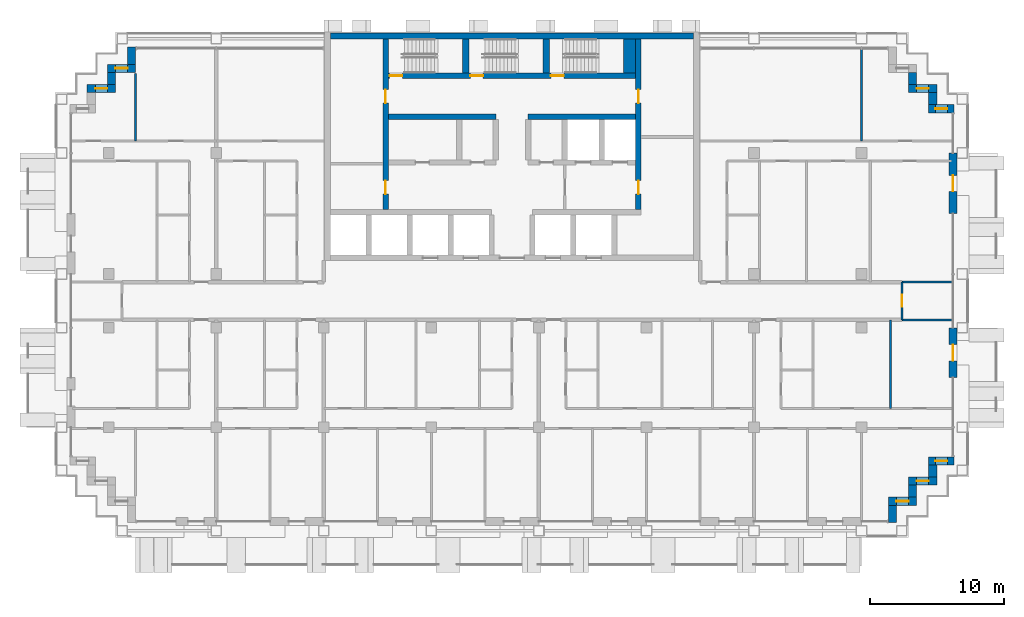
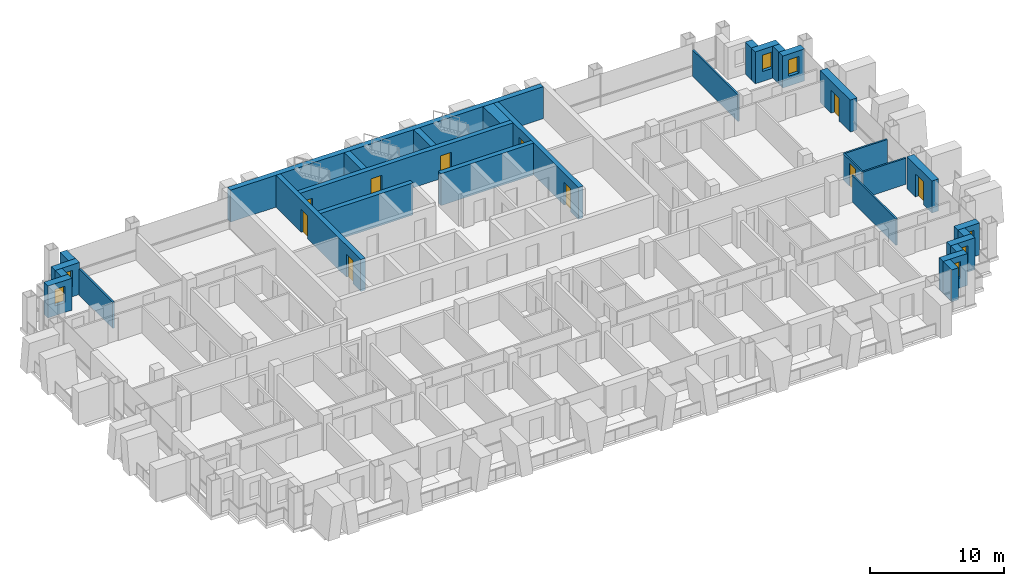
# One storey, part 12 of 17: 31 walls, 10 doors, 7 windows, 17 openings.
"""IFC4 building model written with IfcOpenShell, lengths in metres."""

from ifc_helpers import new_model, si_unit, direction, frame, frame_2d, origin, place, context, subcontext, project, spatial, rectangle, extrude, material, layer, layer_set, type_object, element, fill, save


model = new_model("IFC4")

# Units and contexts
model_context = context("Model", 3, precision=1e-05, world=origin(), true_north=direction((0.0, 1.0)))
body_context = subcontext(model_context, "Body", "Model", "MODEL_VIEW")
ifc_project = project(units=[si_unit("LENGTHUNIT", "METRE"), si_unit("AREAUNIT", "SQUARE_METRE"), si_unit("VOLUMEUNIT", "CUBIC_METRE"), si_unit("PLANEANGLEUNIT", "RADIAN"), si_unit("MASSUNIT", "GRAM", prefix="KILO")], contexts=[model_context])

# Site, building, storey
site_placement = place(None, origin())
site = spatial("IfcSite", under=ifc_project, at=site_placement, CompositionType="ELEMENT")
building_placement = place(site_placement, origin())
building = spatial("IfcBuilding", under=site, at=building_placement, Name="Vidyagriha Tower", CompositionType="ELEMENT")
storey_placement = place(building_placement, frame((0.0, 0.0, 119.800048828125)))
storey = spatial("IfcBuildingStorey", under=building, at=storey_placement, Name="L30", CompositionType="ELEMENT", Elevation=119.800048828125)

# Wall, opening, window
ifc_material_1 = material(Name="Precast concrete C40/50 with brick facing", Category="concrete")
ifc_layer_1 = layer(ifc_material_1, 0.60009765625)
ifc_layer_set_1 = layer_set([ifc_layer_1], Name="Precast concrete C40/50 with brick facing")
wall_type_1 = type_object("IfcWallType", Name="Brick-faced precast wall 600", PredefinedType="STANDARD", material=ifc_layer_set_1)
wall_1_placement = place(storey_placement, frame((32.8798828125, 14.300048828125, 0.0), z_axis=(0.0, 0.0, 1.0), x_axis=(-1.0, 0.0, 0.0)))
wall_1 = element("IfcWall", 1, at=wall_1_placement, inside=storey, type_object=wall_type_1, Name="Stepped corner wall L30 R01", PredefinedType="STANDARD", context=body_context, shape_type="SweptSolid", body=[
    extrude(rectangle(XDim=1.8798828125, YDim=0.60009765625, at=frame_2d((0.93994140625, 0.0))), origin(), (0.0, 0.0, 1.0), 2.919921875),
])
opening_1_placement = place(wall_1_placement, frame((0.489990234375, 0.0, 0.89990234375)))
opening_1 = element("IfcOpeningElement", 2, at=opening_1_placement, cuts=wall_1, Name="Opening WN1", PredefinedType="OPENING", context=body_context, shape_type="SweptSolid", body=[
    extrude(rectangle(XDim=0.89990234375, YDim=1.5, at=frame_2d((0.449951171875, 0.75))), frame((0.0, 0.31005859375, 0.0), z_axis=(0.0, -1.0, 0.0), x_axis=(1.0, 0.0, 0.0)), (0.0, 0.0, 1.0), 0.6201171875),
])
ifc_material_2 = material(Name="Aluminium and glass window", Category="aluminium")
window_type = type_object("IfcWindowType", Name="Reveal window 900x1500", PartitioningType="NOTDEFINED", PredefinedType="WINDOW", material=ifc_material_2)
window_1_placement = place(opening_1_placement, origin())
window_1 = element("IfcWindow", 3, at=window_1_placement, inside=storey, type_object=window_type, Name="Reveal window L30 R01", OverallHeight=1.5, OverallWidth=0.89990234375, PartitioningType="SINGLE_PANEL", PredefinedType="WINDOW", context=body_context, shape_type="SweptSolid", body=[
    extrude(rectangle(XDim=0.89990234375, YDim=1.5, at=frame_2d((0.449951171875, 0.75))), frame((0.0, 0.030029296875, 0.0), z_axis=(0.0, -1.0, 0.0), x_axis=(1.0, 0.0, 0.0)), (0.0, 0.0, 1.0), 0.06005859375),
])
fill(opening_1, window_1)

# Wall
wall_2_placement = place(storey_placement, frame((31.300048828125, 14.60009765625, 0.0), z_axis=(0.0, 0.0, 1.0), x_axis=(0.0, 1.0, 0.0)))
element("IfcWall", 4, at=wall_2_placement, inside=storey, type_object=wall_type_1, Name="Stepped corner wall L30 R02", PredefinedType="STANDARD", context=body_context, shape_type="SweptSolid", body=[
    extrude(rectangle(XDim=0.89990234375, YDim=0.60009765625, at=frame_2d((0.449951171875, 0.0))), origin(), (0.0, 0.0, 1.0), 2.919921875),
])

# Wall, opening, window
wall_3_placement = place(storey_placement, frame((31.60009765625, 15.800048828125, 0.0), z_axis=(0.0, 0.0, 1.0), x_axis=(-1.0, 0.0, 0.0)))
wall_3 = element("IfcWall", 5, at=wall_3_placement, inside=storey, type_object=wall_type_1, Name="Stepped corner wall L30 R03", PredefinedType="STANDARD", context=body_context, shape_type="SweptSolid", body=[
    extrude(rectangle(XDim=2.10009765625, YDim=0.60009765625, at=frame_2d((1.050048828125, 0.0))), origin(), (0.0, 0.0, 1.0), 2.919921875),
])
opening_2_placement = place(wall_3_placement, frame((0.60009765625, 0.0, 0.89990234375)))
opening_2 = element("IfcOpeningElement", 6, at=opening_2_placement, cuts=wall_3, Name="Opening WN1", PredefinedType="OPENING", context=body_context, shape_type="SweptSolid", body=[
    extrude(rectangle(XDim=0.89990234375, YDim=1.5, at=frame_2d((0.449951171875, 0.75))), frame((0.0, 0.31005859375, 0.0), z_axis=(0.0, -1.0, 0.0), x_axis=(1.0, 0.0, 0.0)), (0.0, 0.0, 1.0), 0.6201171875),
])
window_2_placement = place(opening_2_placement, origin())
window_2 = element("IfcWindow", 7, at=window_2_placement, inside=storey, type_object=window_type, Name="Reveal window L30 R03", OverallHeight=1.5, OverallWidth=0.89990234375, PartitioningType="SINGLE_PANEL", PredefinedType="WINDOW", context=body_context, shape_type="SweptSolid", body=[
    extrude(rectangle(XDim=0.89990234375, YDim=1.5, at=frame_2d((0.449951171875, 0.75))), frame((0.0, 0.030029296875, 0.0), z_axis=(0.0, -1.0, 0.0), x_axis=(1.0, 0.0, 0.0)), (0.0, 0.0, 1.0), 0.06005859375),
])
fill(opening_2, window_2)

# Walls
wall_4_placement = place(storey_placement, frame((29.800048828125, 16.10009765625, 0.0), z_axis=(0.0, 0.0, 1.0), x_axis=(0.0, 1.0, 0.0)))
element("IfcWall", 8, at=wall_4_placement, inside=storey, type_object=wall_type_1, Name="Stepped corner wall L30 R04", PredefinedType="STANDARD", context=body_context, shape_type="SweptSolid", body=[
    extrude(rectangle(XDim=0.89990234375, YDim=0.60009765625, at=frame_2d((0.449951171875, 0.0))), origin(), (0.0, 0.0, 1.0), 2.919921875),
])
wall_5_placement = place(storey_placement, frame((-28.300048828125, 18.8798828125, 0.0), z_axis=(0.0, 0.0, 1.0), x_axis=(0.0, -1.0, 0.0)))
element("IfcWall", 9, at=wall_5_placement, inside=storey, type_object=wall_type_1, Name="Stepped corner wall L30 R10", PredefinedType="STANDARD", context=body_context, shape_type="SweptSolid", body=[
    extrude(rectangle(XDim=1.27978515625, YDim=0.60009765625, at=frame_2d((0.639892578125, 0.0))), origin(), (0.0, 0.0, 1.0), 2.919921875),
])

# Wall, opening, window
wall_6_placement = place(storey_placement, frame((-28.0, 17.300048828125, 0.0), z_axis=(0.0, 0.0, 1.0), x_axis=(-1.0, 0.0, 0.0)))
wall_6 = element("IfcWall", 10, at=wall_6_placement, inside=storey, type_object=wall_type_1, Name="Stepped corner wall L30 R11", PredefinedType="STANDARD", context=body_context, shape_type="SweptSolid", body=[
    extrude(rectangle(XDim=2.10009765625, YDim=0.60009765625, at=frame_2d((1.050048828125, 0.0))), origin(), (0.0, 0.0, 1.0), 2.919921875),
])
opening_3_placement = place(wall_6_placement, frame((0.60009765625, 0.0, 0.89990234375)))
opening_3 = element("IfcOpeningElement", 11, at=opening_3_placement, cuts=wall_6, Name="Opening WN1", PredefinedType="OPENING", context=body_context, shape_type="SweptSolid", body=[
    extrude(rectangle(XDim=0.89990234375, YDim=1.5, at=frame_2d((0.449951171875, 0.75))), frame((0.0, 0.31005859375, 0.0), z_axis=(0.0, -1.0, 0.0), x_axis=(1.0, 0.0, 0.0)), (0.0, 0.0, 1.0), 0.6201171875),
])
window_3_placement = place(opening_3_placement, origin())
window_3 = element("IfcWindow", 12, at=window_3_placement, inside=storey, type_object=window_type, Name="Reveal window L30 R11", OverallHeight=1.5, OverallWidth=0.89990234375, PartitioningType="SINGLE_PANEL", PredefinedType="WINDOW", context=body_context, shape_type="SweptSolid", body=[
    extrude(rectangle(XDim=0.89990234375, YDim=1.5, at=frame_2d((0.449951171875, 0.75))), frame((0.0, 0.030029296875, 0.0), z_axis=(0.0, -1.0, 0.0), x_axis=(1.0, 0.0, 0.0)), (0.0, 0.0, 1.0), 0.06005859375),
])
fill(opening_3, window_3)

# Wall
wall_7_placement = place(storey_placement, frame((-29.800048828125, 17.0, 0.0), z_axis=(0.0, 0.0, 1.0), x_axis=(0.0, -1.0, 0.0)))
element("IfcWall", 13, at=wall_7_placement, inside=storey, type_object=wall_type_1, Name="Stepped corner wall L30 R12", PredefinedType="STANDARD", context=body_context, shape_type="SweptSolid", body=[
    extrude(rectangle(XDim=0.89990234375, YDim=0.60009765625, at=frame_2d((0.449951171875, 0.0))), origin(), (0.0, 0.0, 1.0), 2.919921875),
])

# Wall, opening, window
wall_8_placement = place(storey_placement, frame((-29.5, 15.800048828125, 0.0), z_axis=(0.0, 0.0, 1.0), x_axis=(-1.0, 0.0, 0.0)))
wall_8 = element("IfcWall", 14, at=wall_8_placement, inside=storey, type_object=wall_type_1, Name="Stepped corner wall L30 R13", PredefinedType="STANDARD", context=body_context, shape_type="SweptSolid", body=[
    extrude(rectangle(XDim=2.10009765625, YDim=0.60009765625, at=frame_2d((1.050048828125, 0.0))), origin(), (0.0, 0.0, 1.0), 2.919921875),
])
opening_4_placement = place(wall_8_placement, frame((0.60009765625, 0.0, 0.89990234375)))
opening_4 = element("IfcOpeningElement", 15, at=opening_4_placement, cuts=wall_8, Name="Opening WN1", PredefinedType="OPENING", context=body_context, shape_type="SweptSolid", body=[
    extrude(rectangle(XDim=0.89990234375, YDim=1.5, at=frame_2d((0.449951171875, 0.75))), frame((0.0, 0.31005859375, 0.0), z_axis=(0.0, -1.0, 0.0), x_axis=(1.0, 0.0, 0.0)), (0.0, 0.0, 1.0), 0.6201171875),
])
window_4_placement = place(opening_4_placement, origin())
window_4 = element("IfcWindow", 16, at=window_4_placement, inside=storey, type_object=window_type, Name="Reveal window L30 R13", OverallHeight=1.5, OverallWidth=0.89990234375, PartitioningType="SINGLE_PANEL", PredefinedType="WINDOW", context=body_context, shape_type="SweptSolid", body=[
    extrude(rectangle(XDim=0.89990234375, YDim=1.5, at=frame_2d((0.449951171875, 0.75))), frame((0.0, 0.030029296875, 0.0), z_axis=(0.0, -1.0, 0.0), x_axis=(1.0, 0.0, 0.0)), (0.0, 0.0, 1.0), 0.06005859375),
])
fill(opening_4, window_4)

# Wall
wall_9_placement = place(storey_placement, frame((28.300048828125, -16.47998046875, 0.0), z_axis=(0.0, 0.0, 1.0), x_axis=(0.0, 1.0, 0.0)))
element("IfcWall", 17, at=wall_9_placement, inside=storey, type_object=wall_type_1, Name="Stepped corner wall L30 R24", PredefinedType="STANDARD", context=body_context, shape_type="SweptSolid", body=[
    extrude(rectangle(XDim=1.280029296875, YDim=0.60009765625, at=frame_2d((0.64013671875, 0.0))), origin(), (0.0, 0.0, 1.0), 2.919921875),
])

# Wall, opening, window
wall_10_placement = place(storey_placement, frame((28.0, -14.89990234375, 0.0)))
wall_10 = element("IfcWall", 18, at=wall_10_placement, inside=storey, type_object=wall_type_1, Name="Stepped corner wall L30 R25", PredefinedType="STANDARD", context=body_context, shape_type="SweptSolid", body=[
    extrude(rectangle(XDim=2.10009765625, YDim=0.60009765625, at=frame_2d((1.050048828125, 0.0))), origin(), (0.0, 0.0, 1.0), 2.919921875),
])
opening_5_placement = place(wall_10_placement, frame((0.60009765625, 0.0, 0.89990234375)))
opening_5 = element("IfcOpeningElement", 19, at=opening_5_placement, cuts=wall_10, Name="Opening WN1", PredefinedType="OPENING", context=body_context, shape_type="SweptSolid", body=[
    extrude(rectangle(XDim=0.89990234375, YDim=1.5, at=frame_2d((0.449951171875, 0.75))), frame((0.0, 0.31005859375, 0.0), z_axis=(0.0, -1.0, 0.0), x_axis=(1.0, 0.0, 0.0)), (0.0, 0.0, 1.0), 0.6201171875),
])
window_5_placement = place(opening_5_placement, origin())
window_5 = element("IfcWindow", 20, at=window_5_placement, inside=storey, type_object=window_type, Name="Reveal window L30 R25", OverallHeight=1.5, OverallWidth=0.89990234375, PartitioningType="SINGLE_PANEL", PredefinedType="WINDOW", context=body_context, shape_type="SweptSolid", body=[
    extrude(rectangle(XDim=0.89990234375, YDim=1.5, at=frame_2d((0.449951171875, 0.75))), frame((0.0, 0.030029296875, 0.0), z_axis=(0.0, -1.0, 0.0), x_axis=(1.0, 0.0, 0.0)), (0.0, 0.0, 1.0), 0.06005859375),
])
fill(opening_5, window_5)

# Wall
wall_11_placement = place(storey_placement, frame((29.800048828125, -14.60009765625, 0.0), z_axis=(0.0, 0.0, 1.0), x_axis=(0.0, 1.0, 0.0)))
element("IfcWall", 21, at=wall_11_placement, inside=storey, type_object=wall_type_1, Name="Stepped corner wall L30 R26", PredefinedType="STANDARD", context=body_context, shape_type="SweptSolid", body=[
    extrude(rectangle(XDim=0.900146484375, YDim=0.60009765625, at=frame_2d((0.4501953125, 0.0))), origin(), (0.0, 0.0, 1.0), 2.919921875),
])

# Wall, opening, window
wall_12_placement = place(storey_placement, frame((29.5, -13.39990234375, 0.0)))
wall_12 = element("IfcWall", 22, at=wall_12_placement, inside=storey, type_object=wall_type_1, Name="Stepped corner wall L30 R27", PredefinedType="STANDARD", context=body_context, shape_type="SweptSolid", body=[
    extrude(rectangle(XDim=2.10009765625, YDim=0.60009765625, at=frame_2d((1.050048828125, 0.0))), origin(), (0.0, 0.0, 1.0), 2.919921875),
])
opening_6_placement = place(wall_12_placement, frame((0.60009765625, 0.0, 0.89990234375)))
opening_6 = element("IfcOpeningElement", 23, at=opening_6_placement, cuts=wall_12, Name="Opening WN1", PredefinedType="OPENING", context=body_context, shape_type="SweptSolid", body=[
    extrude(rectangle(XDim=0.89990234375, YDim=1.5, at=frame_2d((0.449951171875, 0.75))), frame((0.0, 0.31005859375, 0.0), z_axis=(0.0, -1.0, 0.0), x_axis=(1.0, 0.0, 0.0)), (0.0, 0.0, 1.0), 0.6201171875),
])
window_6_placement = place(opening_6_placement, origin())
window_6 = element("IfcWindow", 24, at=window_6_placement, inside=storey, type_object=window_type, Name="Reveal window L30 R27", OverallHeight=1.5, OverallWidth=0.89990234375, PartitioningType="SINGLE_PANEL", PredefinedType="WINDOW", context=body_context, shape_type="SweptSolid", body=[
    extrude(rectangle(XDim=0.89990234375, YDim=1.5, at=frame_2d((0.449951171875, 0.75))), frame((0.0, 0.030029296875, 0.0), z_axis=(0.0, -1.0, 0.0), x_axis=(1.0, 0.0, 0.0)), (0.0, 0.0, 1.0), 0.06005859375),
])
fill(opening_6, window_6)

# Wall
wall_13_placement = place(storey_placement, frame((31.300048828125, -13.10009765625, 0.0), z_axis=(0.0, 0.0, 1.0), x_axis=(0.0, 1.0, 0.0)))
element("IfcWall", 25, at=wall_13_placement, inside=storey, type_object=wall_type_1, Name="Stepped corner wall L30 R28", PredefinedType="STANDARD", context=body_context, shape_type="SweptSolid", body=[
    extrude(rectangle(XDim=0.900146484375, YDim=0.60009765625, at=frame_2d((0.4501953125, 0.0))), origin(), (0.0, 0.0, 1.0), 2.919921875),
])

# Wall, opening, window
wall_14_placement = place(storey_placement, frame((31.0, -11.89990234375, 0.0)))
wall_14 = element("IfcWall", 26, at=wall_14_placement, inside=storey, type_object=wall_type_1, Name="Stepped corner wall L30 R29", PredefinedType="STANDARD", context=body_context, shape_type="SweptSolid", body=[
    extrude(rectangle(XDim=1.8798828125, YDim=0.60009765625, at=frame_2d((0.93994140625, 0.0))), origin(), (0.0, 0.0, 1.0), 2.919921875),
])
opening_7_placement = place(wall_14_placement, frame((0.489990234375, 0.0, 0.89990234375)))
opening_7 = element("IfcOpeningElement", 27, at=opening_7_placement, cuts=wall_14, Name="Opening WN1", PredefinedType="OPENING", context=body_context, shape_type="SweptSolid", body=[
    extrude(rectangle(XDim=0.89990234375, YDim=1.5, at=frame_2d((0.449951171875, 0.75))), frame((0.0, 0.31005859375, 0.0), z_axis=(0.0, -1.0, 0.0), x_axis=(1.0, 0.0, 0.0)), (0.0, 0.0, 1.0), 0.6201171875),
])
window_7_placement = place(opening_7_placement, origin())
window_7 = element("IfcWindow", 28, at=window_7_placement, inside=storey, type_object=window_type, Name="Reveal window L30 R29", OverallHeight=1.5, OverallWidth=0.89990234375, PartitioningType="SINGLE_PANEL", PredefinedType="WINDOW", context=body_context, shape_type="SweptSolid", body=[
    extrude(rectangle(XDim=0.89990234375, YDim=1.5, at=frame_2d((0.449951171875, 0.75))), frame((0.0, 0.030029296875, 0.0), z_axis=(0.0, -1.0, 0.0), x_axis=(1.0, 0.0, 0.0)), (0.0, 0.0, 1.0), 0.06005859375),
])
fill(opening_7, window_7)

# Wall, opening, door
wall_15_placement = place(storey_placement, frame((32.800048828125, -5.699951171875, 0.0), z_axis=(0.0, 0.0, 1.0), x_axis=(0.0, 1.0, 0.0)))
wall_15 = element("IfcWall", 29, at=wall_15_placement, inside=storey, type_object=wall_type_1, Name="Brick door bay wall L30 R30.3", PredefinedType="STANDARD", context=body_context, shape_type="SweptSolid", body=[
    extrude(rectangle(XDim=3.699951171875, YDim=0.60009765625, at=frame_2d((1.85009765625, 0.0))), origin(), (0.0, 0.0, 1.0), 2.919921875),
])
opening_8_placement = place(wall_15_placement, frame((1.25, 0.0, 0.0)))
opening_8 = element("IfcOpeningElement", 30, at=opening_8_placement, cuts=wall_15, Name="Opening D30-83", PredefinedType="OPENING", context=body_context, shape_type="SweptSolid", body=[
    extrude(rectangle(XDim=1.199951171875, YDim=2.10009765625, at=frame_2d((0.60009765625, 1.050048828125))), frame((0.0, 0.31005859375, 0.0), z_axis=(0.0, -1.0, 0.0), x_axis=(1.0, 0.0, 0.0)), (0.0, 0.0, 1.0), 0.6201171875),
])
ifc_material_3 = material(Name="Aluminium framed glazed sliding door", Category="aluminium")
door_type_1 = type_object("IfcDoorType", Name="Balcony sliding door 1200x2100", OperationType="NOTDEFINED", PredefinedType="DOOR", material=ifc_material_3)
door_1_placement = place(opening_8_placement, origin())
door_1 = element("IfcDoor", 31, at=door_1_placement, inside=storey, type_object=door_type_1, Name="Door D30-83", OperationType="SLIDING_TO_LEFT", OverallHeight=2.10009765625, OverallWidth=1.199951171875, PredefinedType="DOOR", context=body_context, shape_type="SweptSolid", body=[
    extrude(rectangle(XDim=1.199951171875, YDim=2.10009765625, at=frame_2d((0.60009765625, 1.050048828125))), frame((0.0, 0.02490234375, 0.0), z_axis=(0.0, -1.0, 0.0), x_axis=(1.0, 0.0, 0.0)), (0.0, 0.0, 1.0), 0.050048828125),
])
fill(opening_8, door_1)

wall_16_placement = place(storey_placement, frame((32.800048828125, 6.5, 0.0), z_axis=(0.0, 0.0, 1.0), x_axis=(0.0, 1.0, 0.0)))
wall_16 = element("IfcWall", 32, at=wall_16_placement, inside=storey, type_object=wall_type_1, Name="Brick door bay wall L30 R30.6", PredefinedType="STANDARD", context=body_context, shape_type="SweptSolid", body=[
    extrude(rectangle(XDim=4.5, YDim=0.60009765625, at=frame_2d((2.25, 0.0))), origin(), (0.0, 0.0, 1.0), 2.919921875),
])
opening_9_placement = place(wall_16_placement, frame((1.64990234375, 0.0, 0.0)))
opening_9 = element("IfcOpeningElement", 33, at=opening_9_placement, cuts=wall_16, Name="Opening D30-84", PredefinedType="OPENING", context=body_context, shape_type="SweptSolid", body=[
    extrude(rectangle(XDim=1.199951171875, YDim=2.10009765625, at=frame_2d((0.60009765625, 1.050048828125))), frame((0.0, 0.31005859375, 0.0), z_axis=(0.0, -1.0, 0.0), x_axis=(1.0, 0.0, 0.0)), (0.0, 0.0, 1.0), 0.6201171875),
])
door_2_placement = place(opening_9_placement, origin())
door_2 = element("IfcDoor", 34, at=door_2_placement, inside=storey, type_object=door_type_1, Name="Door D30-84", OperationType="SLIDING_TO_LEFT", OverallHeight=2.10009765625, OverallWidth=1.199951171875, PredefinedType="DOOR", context=body_context, shape_type="SweptSolid", body=[
    extrude(rectangle(XDim=1.199951171875, YDim=2.10009765625, at=frame_2d((0.60009765625, 1.050048828125))), frame((0.0, 0.02490234375, 0.0), z_axis=(0.0, -1.0, 0.0), x_axis=(1.0, 0.0, 0.0)), (0.0, 0.0, 1.0), 0.050048828125),
])
fill(opening_9, door_2)

# Wall, openings, doors
ifc_material_4 = material(Name="Concrete C60/75", Category="concrete")
ifc_layer_2 = layer(ifc_material_4, 0.39990234375)
ifc_layer_set_2 = layer_set([ifc_layer_2], Name="Concrete C60/75")
wall_type_2 = type_object("IfcWallType", Name="Core shear wall 400 mm", PredefinedType="SHEAR", material=ifc_layer_set_2)
wall_17_placement = place(storey_placement, frame((-9.39990234375, 6.800048828125, 0.0), z_axis=(0.0, 0.0, 1.0), x_axis=(0.0, 1.0, 0.0)))
wall_17 = element("IfcWall", 35, at=wall_17_placement, inside=storey, type_object=wall_type_2, Name="Core west spine wall", PredefinedType="SHEAR", context=body_context, shape_type="SweptSolid", body=[
    extrude(rectangle(XDim=12.699951171875, YDim=0.39990234375, at=frame_2d((6.35009765625, 0.0))), origin(), (0.0, 0.0, 1.0), 2.919921875),
])
opening_10_placement = place(wall_17_placement, frame((1.14990234375, 0.0, 0.0)))
opening_10 = element("IfcOpeningElement", 36, at=opening_10_placement, cuts=wall_17, Name="Opening D30-09", PredefinedType="OPENING", context=body_context, shape_type="SweptSolid", body=[
    extrude(rectangle(XDim=1.0, YDim=2.10009765625, at=frame_2d((0.5, 1.050048828125))), frame((0.0, 0.2099609375, 0.0), z_axis=(0.0, -1.0, 0.0), x_axis=(1.0, 0.0, 0.0)), (0.0, 0.0, 1.0), 0.419921875),
])
opening_11_placement = place(wall_17_placement, frame((7.925048828125, 0.0, 0.0)))
opening_11 = element("IfcOpeningElement", 37, at=opening_11_placement, cuts=wall_17, Name="Opening D30-10", PredefinedType="OPENING", context=body_context, shape_type="SweptSolid", body=[
    extrude(rectangle(XDim=1.0, YDim=2.10009765625, at=frame_2d((0.5, 1.050048828125))), frame((0.0, 0.2099609375, 0.0), z_axis=(0.0, -1.0, 0.0), x_axis=(1.0, 0.0, 0.0)), (0.0, 0.0, 1.0), 0.419921875),
])
ifc_material_5 = material(Name="Hollow metal door leaf")
door_type_2 = type_object("IfcDoorType", Name="Core room door 1000 x 2100 mm EI 60", OperationType="NOTDEFINED", PredefinedType="DOOR", material=ifc_material_5)
door_3_placement = place(opening_10_placement, frame((1.0, 0.0, 0.0), z_axis=(0.0, 0.0, 1.0), x_axis=(-1.0, 0.0, 0.0)))
door_3 = element("IfcDoor", 38, at=door_3_placement, inside=storey, type_object=door_type_2, Name="Door Pressurisation Plant Room 30.W1", OperationType="SINGLE_SWING_RIGHT", OverallHeight=2.10009765625, OverallWidth=1.0, PredefinedType="DOOR", context=body_context, shape_type="SweptSolid", body=[
    extrude(rectangle(XDim=1.0, YDim=2.10009765625, at=frame_2d((0.5, 1.050048828125))), frame((0.0, 0.02490234375, 0.0), z_axis=(0.0, -1.0, 0.0), x_axis=(1.0, 0.0, 0.0)), (0.0, 0.0, 1.0), 0.050048828125),
])
fill(opening_10, door_3)
door_4_placement = place(opening_11_placement, frame((1.0, 0.0, 0.0), z_axis=(0.0, 0.0, 1.0), x_axis=(-1.0, 0.0, 0.0)))
door_4 = element("IfcDoor", 39, at=door_4_placement, inside=storey, type_object=door_type_2, Name="Door Storage Room 30.W2", OperationType="SINGLE_SWING_LEFT", OverallHeight=2.10009765625, OverallWidth=1.0, PredefinedType="DOOR", context=body_context, shape_type="SweptSolid", body=[
    extrude(rectangle(XDim=1.0, YDim=2.10009765625, at=frame_2d((0.5, 1.050048828125))), frame((0.0, 0.02490234375, 0.0), z_axis=(0.0, -1.0, 0.0), x_axis=(1.0, 0.0, 0.0)), (0.0, 0.0, 1.0), 0.050048828125),
])
fill(opening_11, door_4)

wall_18_placement = place(storey_placement, frame((9.39990234375, 6.800048828125, 0.0), z_axis=(0.0, 0.0, 1.0), x_axis=(0.0, 1.0, 0.0)))
wall_18 = element("IfcWall", 40, at=wall_18_placement, inside=storey, type_object=wall_type_2, Name="Core east spine wall", PredefinedType="SHEAR", context=body_context, shape_type="SweptSolid", body=[
    extrude(rectangle(XDim=12.699951171875, YDim=0.39990234375, at=frame_2d((6.35009765625, 0.0))), origin(), (0.0, 0.0, 1.0), 2.919921875),
])
opening_12_placement = place(wall_18_placement, frame((1.14990234375, 0.0, 0.0)))
opening_12 = element("IfcOpeningElement", 41, at=opening_12_placement, cuts=wall_18, Name="Opening D30-11", PredefinedType="OPENING", context=body_context, shape_type="SweptSolid", body=[
    extrude(rectangle(XDim=1.0, YDim=2.10009765625, at=frame_2d((0.5, 1.050048828125))), frame((0.0, 0.2099609375, 0.0), z_axis=(0.0, -1.0, 0.0), x_axis=(1.0, 0.0, 0.0)), (0.0, 0.0, 1.0), 0.419921875),
])
opening_13_placement = place(wall_18_placement, frame((7.925048828125, 0.0, 0.0)))
opening_13 = element("IfcOpeningElement", 42, at=opening_13_placement, cuts=wall_18, Name="Opening D30-12", PredefinedType="OPENING", context=body_context, shape_type="SweptSolid", body=[
    extrude(rectangle(XDim=1.0, YDim=2.10009765625, at=frame_2d((0.5, 1.050048828125))), frame((0.0, 0.2099609375, 0.0), z_axis=(0.0, -1.0, 0.0), x_axis=(1.0, 0.0, 0.0)), (0.0, 0.0, 1.0), 0.419921875),
])
door_5_placement = place(opening_12_placement, origin())
door_5 = element("IfcDoor", 43, at=door_5_placement, inside=storey, type_object=door_type_2, Name="Door Switchgear Room 30.E1", OperationType="SINGLE_SWING_RIGHT", OverallHeight=2.10009765625, OverallWidth=1.0, PredefinedType="DOOR", context=body_context, shape_type="SweptSolid", body=[
    extrude(rectangle(XDim=1.0, YDim=2.10009765625, at=frame_2d((0.5, 1.050048828125))), frame((0.0, 0.02490234375, 0.0), z_axis=(0.0, -1.0, 0.0), x_axis=(1.0, 0.0, 0.0)), (0.0, 0.0, 1.0), 0.050048828125),
])
fill(opening_12, door_5)
door_6_placement = place(opening_13_placement, origin())
door_6 = element("IfcDoor", 44, at=door_6_placement, inside=storey, type_object=door_type_2, Name="Door Communications Room 30.E2", OperationType="SINGLE_SWING_LEFT", OverallHeight=2.10009765625, OverallWidth=1.0, PredefinedType="DOOR", context=body_context, shape_type="SweptSolid", body=[
    extrude(rectangle(XDim=1.0, YDim=2.10009765625, at=frame_2d((0.5, 1.050048828125))), frame((0.0, 0.02490234375, 0.0), z_axis=(0.0, -1.0, 0.0), x_axis=(1.0, 0.0, 0.0)), (0.0, 0.0, 1.0), 0.050048828125),
])
fill(opening_13, door_6)

# Walls
for number, where, name in (
    (45, (-9.199951171875, 13.699951171875, 0.0), "Core row N rear wall"),
    (46, (1.199951171875, 13.699951171875, 0.0), "Core row N rear wall"),
):
    element("IfcWall", number, at=place(storey_placement, frame(where)), inside=storey, type_object=wall_type_2, Name=name, PredefinedType="SHEAR", context=body_context, shape_type="SweptSolid", body=[
        extrude(rectangle(XDim=8.0, YDim=0.39990234375, at=frame_2d((4.0, 0.0))), origin(), (0.0, 0.0, 1.0), 2.919921875),
    ])

# Wall, openings, doors
wall_19_placement = place(storey_placement, frame((-9.199951171875, 16.75, 0.0)))
wall_19 = element("IfcWall", 47, at=wall_19_placement, inside=storey, type_object=wall_type_2, Name="Stair front wall", PredefinedType="SHEAR", context=body_context, shape_type="SweptSolid", body=[
    extrude(rectangle(XDim=18.39990234375, YDim=0.39990234375, at=frame_2d((9.199951171875, 0.0))), origin(), (0.0, 0.0, 1.0), 2.919921875),
])
opening_14_placement = place(wall_19_placement, frame((0.10009765625, 0.0, 0.0)))
opening_14 = element("IfcOpeningElement", 48, at=opening_14_placement, cuts=wall_19, Name="Opening D30-06", PredefinedType="OPENING", context=body_context, shape_type="SweptSolid", body=[
    extrude(rectangle(XDim=0.949951171875, YDim=2.10009765625, at=frame_2d((0.47509765625, 1.050048828125))), frame((0.0, 0.2099609375, 0.0), z_axis=(0.0, -1.0, 0.0), x_axis=(1.0, 0.0, 0.0)), (0.0, 0.0, 1.0), 0.419921875),
])
opening_15_placement = place(wall_19_placement, frame((6.10009765625, 0.0, 0.0)))
opening_15 = element("IfcOpeningElement", 49, at=opening_15_placement, cuts=wall_19, Name="Opening D30-07", PredefinedType="OPENING", context=body_context, shape_type="SweptSolid", body=[
    extrude(rectangle(XDim=0.949951171875, YDim=2.10009765625, at=frame_2d((0.47509765625, 1.050048828125))), frame((0.0, 0.2099609375, 0.0), z_axis=(0.0, -1.0, 0.0), x_axis=(1.0, 0.0, 0.0)), (0.0, 0.0, 1.0), 0.419921875),
])
opening_16_placement = place(wall_19_placement, frame((12.10009765625, 0.0, 0.0)))
opening_16 = element("IfcOpeningElement", 50, at=opening_16_placement, cuts=wall_19, Name="Opening D30-08", PredefinedType="OPENING", context=body_context, shape_type="SweptSolid", body=[
    extrude(rectangle(XDim=0.949951171875, YDim=2.10009765625, at=frame_2d((0.47509765625, 1.050048828125))), frame((0.0, 0.2099609375, 0.0), z_axis=(0.0, -1.0, 0.0), x_axis=(1.0, 0.0, 0.0)), (0.0, 0.0, 1.0), 0.419921875),
])
ifc_material_6 = material(Name="Hollow metal door leaf")
door_type_3 = type_object("IfcDoorType", Name="Exit stair door 950 x 2100 mm EI 90", OperationType="NOTDEFINED", PredefinedType="DOOR", material=ifc_material_6)
door_7_placement = place(opening_14_placement, origin())
door_7 = element("IfcDoor", 51, at=door_7_placement, inside=storey, type_object=door_type_3, Name="Stair door ST1 L30", OperationType="SINGLE_SWING_LEFT", OverallHeight=2.10009765625, OverallWidth=0.949951171875, PredefinedType="DOOR", context=body_context, shape_type="SweptSolid", body=[
    extrude(rectangle(XDim=0.949951171875, YDim=2.10009765625, at=frame_2d((0.47509765625, 1.050048828125))), frame((0.0, 0.02490234375, 0.0), z_axis=(0.0, -1.0, 0.0), x_axis=(1.0, 0.0, 0.0)), (0.0, 0.0, 1.0), 0.050048828125),
])
fill(opening_14, door_7)
door_8_placement = place(opening_15_placement, origin())
door_8 = element("IfcDoor", 52, at=door_8_placement, inside=storey, type_object=door_type_3, Name="Stair door ST2 L30", OperationType="SINGLE_SWING_LEFT", OverallHeight=2.10009765625, OverallWidth=0.949951171875, PredefinedType="DOOR", context=body_context, shape_type="SweptSolid", body=[
    extrude(rectangle(XDim=0.949951171875, YDim=2.10009765625, at=frame_2d((0.47509765625, 1.050048828125))), frame((0.0, 0.02490234375, 0.0), z_axis=(0.0, -1.0, 0.0), x_axis=(1.0, 0.0, 0.0)), (0.0, 0.0, 1.0), 0.050048828125),
])
fill(opening_15, door_8)
door_9_placement = place(opening_16_placement, origin())
door_9 = element("IfcDoor", 53, at=door_9_placement, inside=storey, type_object=door_type_3, Name="Stair door ST3 L30", OperationType="SINGLE_SWING_LEFT", OverallHeight=2.10009765625, OverallWidth=0.949951171875, PredefinedType="DOOR", context=body_context, shape_type="SweptSolid", body=[
    extrude(rectangle(XDim=0.949951171875, YDim=2.10009765625, at=frame_2d((0.47509765625, 1.050048828125))), frame((0.0, 0.02490234375, 0.0), z_axis=(0.0, -1.0, 0.0), x_axis=(1.0, 0.0, 0.0)), (0.0, 0.0, 1.0), 0.050048828125),
])
fill(opening_16, door_9)

# Walls
ifc_material_7 = material(Name="Concrete C60/75", Category="concrete")
ifc_layer_3 = layer(ifc_material_7, 0.449951171875)
ifc_layer_set_3 = layer_set([ifc_layer_3], Name="Concrete C60/75")
wall_type_3 = type_object("IfcWallType", Name="Core shear wall 450 mm", PredefinedType="SHEAR", material=ifc_layer_set_3)
wall_20_placement = place(storey_placement, frame((-13.5, 19.72509765625, 0.0)))
element("IfcWall", 54, at=wall_20_placement, inside=storey, type_object=wall_type_3, Name="Core north wall", PredefinedType="SHEAR", context=body_context, shape_type="SweptSolid", body=[
    extrude(rectangle(XDim=27.0, YDim=0.449951171875, at=frame_2d((13.5, 0.0))), origin(), (0.0, 0.0, 1.0), 2.919921875),
])
ifc_material_8 = material(Name="Concrete C60/75", Category="concrete")
ifc_layer_4 = layer(ifc_material_8, 0.5)
ifc_layer_set_4 = layer_set([ifc_layer_4], Name="Concrete C60/75")
wall_type_4 = type_object("IfcWallType", Name="Core shear wall 500 mm", PredefinedType="SHEAR", material=ifc_layer_set_4)
for number, where, z_axis, x_axis, name in (
    (55, (-3.449951171875, 16.949951171875, 0.0), (0.0, 0.0, 1.0), (0.0, 1.0, 0.0), "Stair partition wall 1"),
    (56, (2.550048828125, 16.949951171875, 0.0), (0.0, 0.0, 1.0), (0.0, 1.0, 0.0), "Stair partition wall 2"),
):
    element("IfcWall", number, at=place(storey_placement, frame(where, z_axis=z_axis, x_axis=x_axis)), inside=storey, type_object=wall_type_4, Name=name, PredefinedType="SHEAR", context=body_context, shape_type="SweptSolid", body=[
        extrude(rectangle(XDim=2.550048828125, YDim=0.5, at=frame_2d((1.27490234375, 0.0))), origin(), (0.0, 0.0, 1.0), 2.919921875),
    ])
ifc_material_9 = material(Name="Concrete C60/75", Category="concrete")
ifc_layer_5 = layer(ifc_material_9, 0.89990234375)
ifc_layer_set_5 = layer_set([ifc_layer_5], Name="Concrete C60/75")
wall_type_5 = type_object("IfcWallType", Name="Core shear wall 900 mm", PredefinedType="SHEAR", material=ifc_layer_set_5)
wall_21_placement = place(storey_placement, frame((8.75, 16.949951171875, 0.0), z_axis=(0.0, 0.0, 1.0), x_axis=(0.0, 1.0, 0.0)))
element("IfcWall", 57, at=wall_21_placement, inside=storey, type_object=wall_type_5, Name="Stair end wall", PredefinedType="SHEAR", context=body_context, shape_type="SweptSolid", body=[
    extrude(rectangle(XDim=2.550048828125, YDim=0.89990234375, at=frame_2d((1.27490234375, 0.0))), origin(), (0.0, 0.0, 1.0), 2.919921875),
])
ifc_material_10 = material(Name="Gypsum board partition")
ifc_layer_6 = layer(ifc_material_10, 0.14990234375)
ifc_layer_set_6 = layer_set([ifc_layer_6], Name="Gypsum board partition")
wall_type_6 = type_object("IfcWallType", Name="Gypsum board partition 150", PredefinedType="PARTITIONING", material=ifc_layer_set_6)
wall_22_placement = place(storey_placement, frame((28.14990234375, -1.39990234375, 0.0), z_axis=(0.0, 0.0, 1.0), x_axis=(0.0, -1.0, 0.0)))
element("IfcWall", 58, at=wall_22_placement, inside=storey, type_object=wall_type_6, Name="Wall all-L30-w073", PredefinedType="PARTITIONING", context=body_context, shape_type="SweptSolid", body=[
    extrude(rectangle(XDim=6.60009765625, YDim=0.14990234375, at=frame_2d((3.300048828125, 0.0))), origin(), (0.0, 0.0, 1.0), 2.39990234375),
])
wall_23_placement = place(storey_placement, frame((32.719970703125, -1.39990234375, 0.0), z_axis=(0.0, 0.0, 1.0), x_axis=(-1.0, 0.0, 0.0)))
element("IfcWall", 59, at=wall_23_placement, inside=storey, type_object=wall_type_6, Name="Wall all-L30-w088", PredefinedType="PARTITIONING", context=body_context, shape_type="SweptSolid", body=[
    extrude(rectangle(XDim=3.719970703125, YDim=0.14990234375, at=frame_2d((1.85986328125, 0.0))), origin(), (0.0, 0.0, 1.0), 2.39990234375),
])
wall_24_placement = place(storey_placement, frame((-28.0, 16.919921875, 0.0), z_axis=(0.0, 0.0, 1.0), x_axis=(0.0, -1.0, 0.0)))
element("IfcWall", 60, at=wall_24_placement, inside=storey, type_object=wall_type_6, Name="Wall all-L30-w099", PredefinedType="PARTITIONING", context=body_context, shape_type="SweptSolid", body=[
    extrude(rectangle(XDim=5.02001953125, YDim=0.14990234375, at=frame_2d((2.510009765625, 0.0))), origin(), (0.0, 0.0, 1.0), 2.39990234375),
])
wall_25_placement = place(storey_placement, frame((26.0, 18.720947265625, 0.0), z_axis=(0.0, 0.0, 1.0), x_axis=(0.0, -1.0, 0.0)))
element("IfcWall", 61, at=wall_25_placement, inside=storey, type_object=wall_type_6, Name="Wall all-L30-w128", PredefinedType="PARTITIONING", context=body_context, shape_type="SweptSolid", body=[
    extrude(rectangle(XDim=6.821044921875, YDim=0.14990234375, at=frame_2d((3.41064453125, 0.0))), origin(), (0.0, 0.0, 1.0), 2.39990234375),
])
wall_26_placement = place(storey_placement, frame((29.0, 1.39990234375, 0.0)))
element("IfcWall", 62, at=wall_26_placement, inside=storey, type_object=wall_type_6, Name="Wall all-L30-w131", PredefinedType="PARTITIONING", context=body_context, shape_type="SweptSolid", body=[
    extrude(rectangle(XDim=3.719970703125, YDim=0.14990234375, at=frame_2d((1.85986328125, 0.0))), origin(), (0.0, 0.0, 1.0), 2.39990234375),
])

# Wall, opening, door
wall_27_placement = place(storey_placement, frame((29.0, -1.39990234375, 0.0), z_axis=(0.0, 0.0, 1.0), x_axis=(0.0, 1.0, 0.0)))
wall_27 = element("IfcWall", 63, at=wall_27_placement, inside=storey, type_object=wall_type_6, Name="Wall all-L30-w134", PredefinedType="PARTITIONING", context=body_context, shape_type="SweptSolid", body=[
    extrude(rectangle(XDim=2.7998046875, YDim=0.14990234375, at=frame_2d((1.39990234375, 0.0))), origin(), (0.0, 0.0, 1.0), 2.39990234375),
])
opening_17_placement = place(wall_27_placement, frame((0.949951171875, 0.0, 0.0)))
opening_17 = element("IfcOpeningElement", 64, at=opening_17_placement, cuts=wall_27, Name="Opening D30-73", PredefinedType="OPENING", context=body_context, shape_type="SweptSolid", body=[
    extrude(rectangle(XDim=0.89990234375, YDim=2.10009765625, at=frame_2d((0.449951171875, 1.050048828125))), frame((0.0, 0.0849609375, 0.0), z_axis=(0.0, -1.0, 0.0), x_axis=(1.0, 0.0, 0.0)), (0.0, 0.0, 1.0), 0.169921875),
])
ifc_material_11 = material(Name="Timber door leaf", Category="wood")
door_type_4 = type_object("IfcDoorType", Name="Room door 900x2100", OperationType="NOTDEFINED", PredefinedType="DOOR", material=ifc_material_11)
door_10_placement = place(opening_17_placement, origin())
door_10 = element("IfcDoor", 65, at=door_10_placement, inside=storey, type_object=door_type_4, Name="Door D30-73", OperationType="SINGLE_SWING_RIGHT", OverallHeight=2.10009765625, OverallWidth=0.89990234375, PredefinedType="DOOR", context=body_context, shape_type="SweptSolid", body=[
    extrude(rectangle(XDim=0.89990234375, YDim=2.10009765625, at=frame_2d((0.449951171875, 1.050048828125))), frame((0.0, 0.02490234375, 0.0), z_axis=(0.0, -1.0, 0.0), x_axis=(1.0, 0.0, 0.0)), (0.0, 0.0, 1.0), 0.050048828125),
])
fill(opening_17, door_10)

save(model, "model.ifc")
